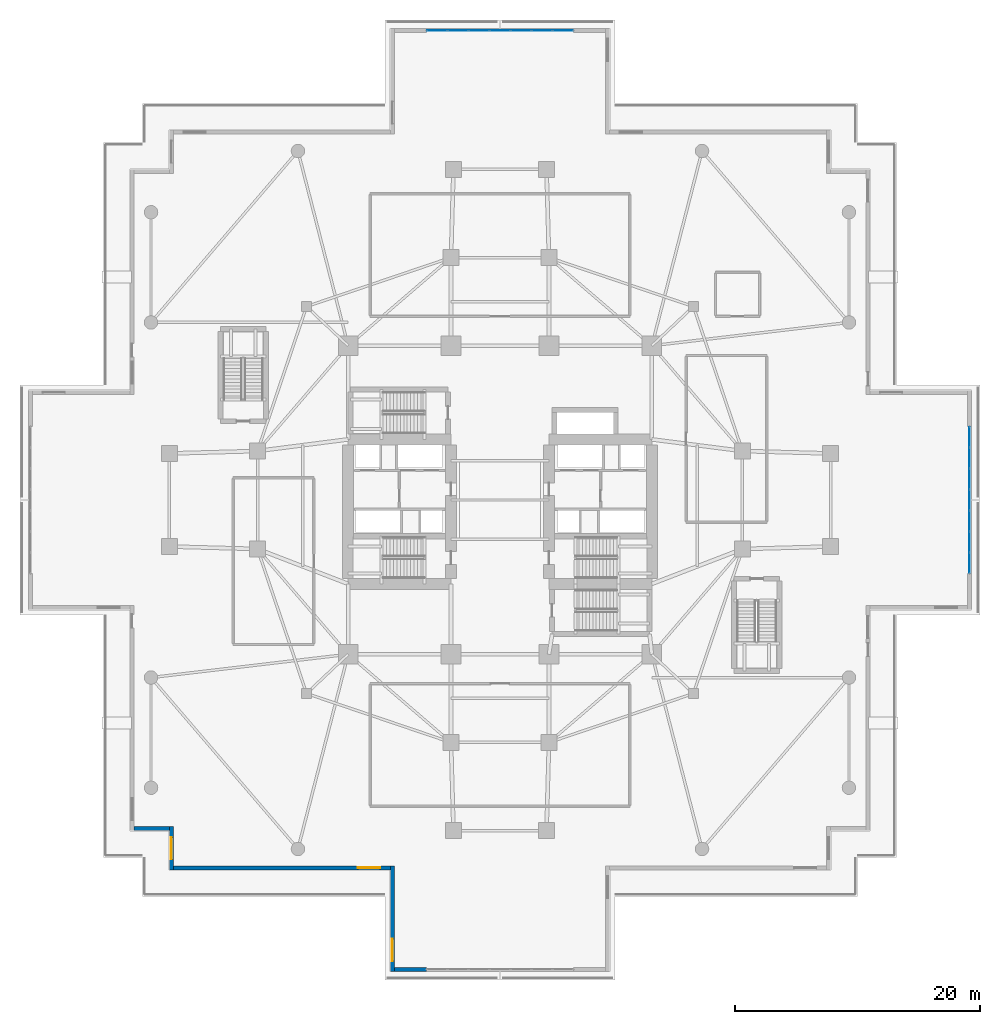
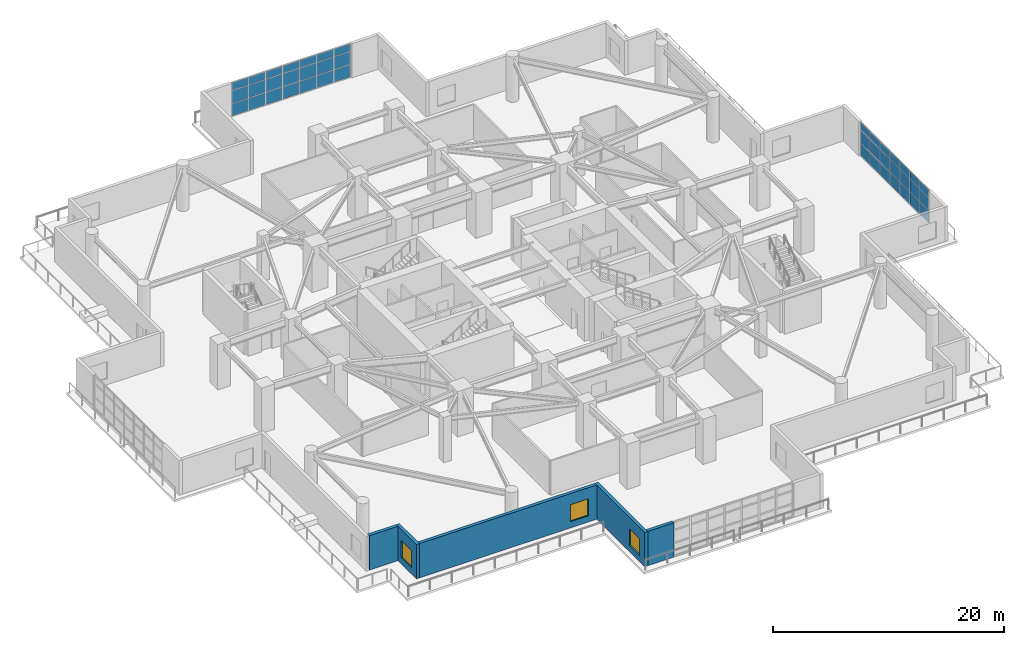
# One storey, part 12 of 23: 42 plates, 5 walls, 3 windows, 3 openings, 2 elements without a shape of their own.
"""IFC4 building model written with IfcOpenShell, lengths in metres."""

from ifc_helpers import new_model, si_unit, direction, frame, frame_2d, origin, origin_2d, place, context, subcontext, project, spatial, rectangle, extrude, material, layer, layer_set, type_object, element, fill, aggregate, save


model = new_model("IFC4")

# Units and contexts
model_context = context("Model", 3, precision=1e-05, world=origin(), true_north=direction((0.0, 1.0)))
body_context = subcontext(model_context, "Body", "Model", "MODEL_VIEW")
ifc_project = project(units=[si_unit("LENGTHUNIT", "METRE"), si_unit("AREAUNIT", "SQUARE_METRE"), si_unit("VOLUMEUNIT", "CUBIC_METRE"), si_unit("PLANEANGLEUNIT", "RADIAN"), si_unit("MASSUNIT", "GRAM", prefix="KILO")], contexts=[model_context])

# Site, building, storey
site_placement = place(None, origin())
site = spatial("IfcSite", under=ifc_project, at=site_placement, CompositionType="ELEMENT")
building_placement = place(site_placement, origin())
building = spatial("IfcBuilding", under=site, at=building_placement, Name="Qingluan Cross Belvedere", CompositionType="ELEMENT")
storey_placement = place(building_placement, frame((0.0, 0.0, 5.39990234375)))
storey = spatial("IfcBuildingStorey", under=building, at=storey_placement, Name="L02", CompositionType="ELEMENT", Elevation=5.39990234375)

# Curtain wall, plates
ifc_material_1 = material(Name="Thermally broken aluminium and Low-E glass", Category="aluminium")
ifc_layer_1 = layer(ifc_material_1, 0.199951171875, Name="UnitisedCW_PodiumArrival")
ifc_layer_set_1 = layer_set([ifc_layer_1], Name="Thermally broken aluminium and Low-E glass")
curtain_wall_type = type_object("IfcCurtainWallType", Name="UnitisedCW_PodiumArrival", PredefinedType="USERDEFINED", material=ifc_layer_set_1)
curtain_wall_1_placement = place(storey_placement, origin())
curtain_wall_1 = element("IfcCurtainWall", 1, at=curtain_wall_1_placement, inside=storey, type_object=curtain_wall_type, Name="UnitisedCW_PodiumArrival run env:cw:L02:N", ObjectType="UNITISED CURTAIN WALL", PredefinedType="USERDEFINED")
ifc_material_2 = material(Name="Ceramic-fritted insulated spandrel glass", Category="glass")
ifc_layer_2 = layer(ifc_material_2, 0.0439453125, Name="CWSpandrelPanel_44")
ifc_layer_set_2 = layer_set([ifc_layer_2], Name="Ceramic-fritted insulated spandrel glass")
plate_type = type_object("IfcPlateType", Name="CWSpandrelPanel_44", PredefinedType="CURTAIN_PANEL", material=ifc_layer_set_2)
plate_1_placement = place(storey_placement, frame((-5.1279296875, 38.340087890625, 0.06005859375), z_axis=(0.0, 0.0, 1.0), x_axis=(1.0, 0.0, 0.0)))
plate_1 = element("IfcPlate", 2, at=plate_1_placement, type_object=plate_type, Name="CW-P1 panel 1.1", PredefinedType="CURTAIN_PANEL", context=body_context, shape_type="SweptSolid", body=[
    extrude(rectangle(XDim=1.624267578125, YDim=0.028076171875, at=origin_2d()), origin(), (0.0, 0.0, 1.0), 1.2890625),
])
plate_2_placement = place(storey_placement, frame((-5.1279296875, 38.340087890625, 1.4091796875), z_axis=(0.0, 0.0, 1.0), x_axis=(1.0, 0.0, 0.0)))
plate_2 = element("IfcPlate", 3, at=plate_2_placement, type_object=plate_type, Name="CW-P1 panel 1.2", PredefinedType="CURTAIN_PANEL", context=body_context, shape_type="SweptSolid", body=[
    extrude(rectangle(XDim=1.624267578125, YDim=0.028076171875, at=origin_2d()), origin(), (0.0, 0.0, 1.0), 1.320068359375),
])
plate_3_placement = place(storey_placement, frame((-5.1279296875, 38.340087890625, 2.7890625), z_axis=(0.0, 0.0, 1.0), x_axis=(1.0, 0.0, 0.0)))
plate_3 = element("IfcPlate", 4, at=plate_3_placement, type_object=plate_type, Name="CW-P1 panel 1.3", PredefinedType="CURTAIN_PANEL", context=body_context, shape_type="SweptSolid", body=[
    extrude(rectangle(XDim=1.624267578125, YDim=0.028076171875, at=origin_2d()), origin(), (0.0, 0.0, 1.0), 0.781005859375),
])
plate_4_placement = place(storey_placement, frame((-3.428466796875, 38.340087890625, 0.06005859375), z_axis=(0.0, 0.0, 1.0), x_axis=(1.0, 0.0, 0.0)))
plate_4 = element("IfcPlate", 5, at=plate_4_placement, type_object=plate_type, Name="CW-P1 panel 2.1", PredefinedType="CURTAIN_PANEL", context=body_context, shape_type="SweptSolid", body=[
    extrude(rectangle(XDim=1.654296875, YDim=0.028076171875, at=origin_2d()), origin(), (0.0, 0.0, 1.0), 1.2890625),
])
plate_5_placement = place(storey_placement, frame((-3.428466796875, 38.340087890625, 1.4091796875), z_axis=(0.0, 0.0, 1.0), x_axis=(1.0, 0.0, 0.0)))
plate_5 = element("IfcPlate", 6, at=plate_5_placement, type_object=plate_type, Name="CW-P1 panel 2.2", PredefinedType="CURTAIN_PANEL", context=body_context, shape_type="SweptSolid", body=[
    extrude(rectangle(XDim=1.654296875, YDim=0.028076171875, at=origin_2d()), origin(), (0.0, 0.0, 1.0), 1.320068359375),
])
plate_6_placement = place(storey_placement, frame((-3.428466796875, 38.340087890625, 2.7890625), z_axis=(0.0, 0.0, 1.0), x_axis=(1.0, 0.0, 0.0)))
plate_6 = element("IfcPlate", 7, at=plate_6_placement, type_object=plate_type, Name="CW-P1 panel 2.3", PredefinedType="CURTAIN_PANEL", context=body_context, shape_type="SweptSolid", body=[
    extrude(rectangle(XDim=1.654296875, YDim=0.028076171875, at=origin_2d()), origin(), (0.0, 0.0, 1.0), 0.781005859375),
])
plate_7_placement = place(storey_placement, frame((-1.71435546875, 38.340087890625, 0.06005859375), z_axis=(0.0, 0.0, 1.0), x_axis=(1.0, 0.0, 0.0)))
plate_7 = element("IfcPlate", 8, at=plate_7_placement, type_object=plate_type, Name="CW-P1 panel 3.1", PredefinedType="CURTAIN_PANEL", context=body_context, shape_type="SweptSolid", body=[
    extrude(rectangle(XDim=1.654296875, YDim=0.028076171875, at=origin_2d()), origin(), (0.0, 0.0, 1.0), 1.2890625),
])
plate_8_placement = place(storey_placement, frame((-1.71435546875, 38.340087890625, 1.4091796875), z_axis=(0.0, 0.0, 1.0), x_axis=(1.0, 0.0, 0.0)))
plate_8 = element("IfcPlate", 9, at=plate_8_placement, type_object=plate_type, Name="CW-P1 panel 3.2", PredefinedType="CURTAIN_PANEL", context=body_context, shape_type="SweptSolid", body=[
    extrude(rectangle(XDim=1.654296875, YDim=0.028076171875, at=origin_2d()), origin(), (0.0, 0.0, 1.0), 1.320068359375),
])
plate_9_placement = place(storey_placement, frame((-1.71435546875, 38.340087890625, 2.7890625), z_axis=(0.0, 0.0, 1.0), x_axis=(1.0, 0.0, 0.0)))
plate_9 = element("IfcPlate", 10, at=plate_9_placement, type_object=plate_type, Name="CW-P1 panel 3.3", PredefinedType="CURTAIN_PANEL", context=body_context, shape_type="SweptSolid", body=[
    extrude(rectangle(XDim=1.654296875, YDim=0.028076171875, at=origin_2d()), origin(), (0.0, 0.0, 1.0), 0.781005859375),
])
plate_10_placement = place(storey_placement, frame((0.0, 38.340087890625, 0.06005859375), z_axis=(0.0, 0.0, 1.0), x_axis=(1.0, 0.0, 0.0)))
plate_10 = element("IfcPlate", 11, at=plate_10_placement, type_object=plate_type, Name="CW-P1 panel 4.1", PredefinedType="CURTAIN_PANEL", context=body_context, shape_type="SweptSolid", body=[
    extrude(rectangle(XDim=1.654296875, YDim=0.028076171875, at=origin_2d()), origin(), (0.0, 0.0, 1.0), 1.2890625),
])
plate_11_placement = place(storey_placement, frame((0.0, 38.340087890625, 1.4091796875), z_axis=(0.0, 0.0, 1.0), x_axis=(1.0, 0.0, 0.0)))
plate_11 = element("IfcPlate", 12, at=plate_11_placement, type_object=plate_type, Name="CW-P1 panel 4.2", PredefinedType="CURTAIN_PANEL", context=body_context, shape_type="SweptSolid", body=[
    extrude(rectangle(XDim=1.654296875, YDim=0.028076171875, at=origin_2d()), origin(), (0.0, 0.0, 1.0), 1.320068359375),
])
plate_12_placement = place(storey_placement, frame((0.0, 38.340087890625, 2.7890625), z_axis=(0.0, 0.0, 1.0), x_axis=(1.0, 0.0, 0.0)))
plate_12 = element("IfcPlate", 13, at=plate_12_placement, type_object=plate_type, Name="CW-P1 panel 4.3", PredefinedType="CURTAIN_PANEL", context=body_context, shape_type="SweptSolid", body=[
    extrude(rectangle(XDim=1.654296875, YDim=0.028076171875, at=origin_2d()), origin(), (0.0, 0.0, 1.0), 0.781005859375),
])
plate_13_placement = place(storey_placement, frame((1.71435546875, 38.340087890625, 0.06005859375), z_axis=(0.0, 0.0, 1.0), x_axis=(1.0, 0.0, 0.0)))
plate_13 = element("IfcPlate", 14, at=plate_13_placement, type_object=plate_type, Name="CW-P1 panel 5.1", PredefinedType="CURTAIN_PANEL", context=body_context, shape_type="SweptSolid", body=[
    extrude(rectangle(XDim=1.654296875, YDim=0.028076171875, at=origin_2d()), origin(), (0.0, 0.0, 1.0), 1.2890625),
])
plate_14_placement = place(storey_placement, frame((1.71435546875, 38.340087890625, 1.4091796875), z_axis=(0.0, 0.0, 1.0), x_axis=(1.0, 0.0, 0.0)))
plate_14 = element("IfcPlate", 15, at=plate_14_placement, type_object=plate_type, Name="CW-P1 panel 5.2", PredefinedType="CURTAIN_PANEL", context=body_context, shape_type="SweptSolid", body=[
    extrude(rectangle(XDim=1.654296875, YDim=0.028076171875, at=origin_2d()), origin(), (0.0, 0.0, 1.0), 1.320068359375),
])
plate_15_placement = place(storey_placement, frame((1.71435546875, 38.340087890625, 2.7890625), z_axis=(0.0, 0.0, 1.0), x_axis=(1.0, 0.0, 0.0)))
plate_15 = element("IfcPlate", 16, at=plate_15_placement, type_object=plate_type, Name="CW-P1 panel 5.3", PredefinedType="CURTAIN_PANEL", context=body_context, shape_type="SweptSolid", body=[
    extrude(rectangle(XDim=1.654296875, YDim=0.028076171875, at=origin_2d()), origin(), (0.0, 0.0, 1.0), 0.781005859375),
])
plate_16_placement = place(storey_placement, frame((3.428466796875, 38.340087890625, 0.06005859375), z_axis=(0.0, 0.0, 1.0), x_axis=(1.0, 0.0, 0.0)))
plate_16 = element("IfcPlate", 17, at=plate_16_placement, type_object=plate_type, Name="CW-P1 panel 6.1", PredefinedType="CURTAIN_PANEL", context=body_context, shape_type="SweptSolid", body=[
    extrude(rectangle(XDim=1.654296875, YDim=0.028076171875, at=origin_2d()), origin(), (0.0, 0.0, 1.0), 1.2890625),
])
plate_17_placement = place(storey_placement, frame((3.428466796875, 38.340087890625, 1.4091796875), z_axis=(0.0, 0.0, 1.0), x_axis=(1.0, 0.0, 0.0)))
plate_17 = element("IfcPlate", 18, at=plate_17_placement, type_object=plate_type, Name="CW-P1 panel 6.2", PredefinedType="CURTAIN_PANEL", context=body_context, shape_type="SweptSolid", body=[
    extrude(rectangle(XDim=1.654296875, YDim=0.028076171875, at=origin_2d()), origin(), (0.0, 0.0, 1.0), 1.320068359375),
])
plate_18_placement = place(storey_placement, frame((3.428466796875, 38.340087890625, 2.7890625), z_axis=(0.0, 0.0, 1.0), x_axis=(1.0, 0.0, 0.0)))
plate_18 = element("IfcPlate", 19, at=plate_18_placement, type_object=plate_type, Name="CW-P1 panel 6.3", PredefinedType="CURTAIN_PANEL", context=body_context, shape_type="SweptSolid", body=[
    extrude(rectangle(XDim=1.654296875, YDim=0.028076171875, at=origin_2d()), origin(), (0.0, 0.0, 1.0), 0.781005859375),
])
plate_19_placement = place(storey_placement, frame((5.1279296875, 38.340087890625, 0.06005859375), z_axis=(0.0, 0.0, 1.0), x_axis=(1.0, 0.0, 0.0)))
plate_19 = element("IfcPlate", 20, at=plate_19_placement, type_object=plate_type, Name="CW-P1 panel 7.1", PredefinedType="CURTAIN_PANEL", context=body_context, shape_type="SweptSolid", body=[
    extrude(rectangle(XDim=1.624267578125, YDim=0.028076171875, at=origin_2d()), origin(), (0.0, 0.0, 1.0), 1.2890625),
])
plate_20_placement = place(storey_placement, frame((5.1279296875, 38.340087890625, 1.4091796875), z_axis=(0.0, 0.0, 1.0), x_axis=(1.0, 0.0, 0.0)))
plate_20 = element("IfcPlate", 21, at=plate_20_placement, type_object=plate_type, Name="CW-P1 panel 7.2", PredefinedType="CURTAIN_PANEL", context=body_context, shape_type="SweptSolid", body=[
    extrude(rectangle(XDim=1.624267578125, YDim=0.028076171875, at=origin_2d()), origin(), (0.0, 0.0, 1.0), 1.320068359375),
])
plate_21_placement = place(storey_placement, frame((5.1279296875, 38.340087890625, 2.7890625), z_axis=(0.0, 0.0, 1.0), x_axis=(1.0, 0.0, 0.0)))
plate_21 = element("IfcPlate", 22, at=plate_21_placement, type_object=plate_type, Name="CW-P1 panel 7.3", PredefinedType="CURTAIN_PANEL", context=body_context, shape_type="SweptSolid", body=[
    extrude(rectangle(XDim=1.624267578125, YDim=0.028076171875, at=origin_2d()), origin(), (0.0, 0.0, 1.0), 0.781005859375),
])
aggregate(curtain_wall_1, [plate_1, plate_2, plate_3, plate_4, plate_5, plate_6, plate_7, plate_8, plate_9, plate_10, plate_11, plate_12, plate_13, plate_14, plate_15, plate_16, plate_17, plate_18, plate_19, plate_20, plate_21])

curtain_wall_2_placement = place(storey_placement, origin())
curtain_wall_2 = element("IfcCurtainWall", 23, at=curtain_wall_2_placement, inside=storey, type_object=curtain_wall_type, Name="UnitisedCW_PodiumArrival run env:cw:L02:E", ObjectType="UNITISED CURTAIN WALL", PredefinedType="USERDEFINED")
plate_22_placement = place(storey_placement, frame((38.340087890625, 5.1279296875, 0.06005859375), z_axis=(0.0, 0.0, 1.0), x_axis=(0.0, -1.0, 0.0)))
plate_22 = element("IfcPlate", 24, at=plate_22_placement, type_object=plate_type, Name="CW-P1 panel 1.1", PredefinedType="CURTAIN_PANEL", context=body_context, shape_type="SweptSolid", body=[
    extrude(rectangle(XDim=1.624267578125, YDim=0.028076171875, at=origin_2d()), origin(), (0.0, 0.0, 1.0), 1.2890625),
])
plate_23_placement = place(storey_placement, frame((38.340087890625, 5.1279296875, 1.4091796875), z_axis=(0.0, 0.0, 1.0), x_axis=(0.0, -1.0, 0.0)))
plate_23 = element("IfcPlate", 25, at=plate_23_placement, type_object=plate_type, Name="CW-P1 panel 1.2", PredefinedType="CURTAIN_PANEL", context=body_context, shape_type="SweptSolid", body=[
    extrude(rectangle(XDim=1.624267578125, YDim=0.028076171875, at=origin_2d()), origin(), (0.0, 0.0, 1.0), 1.320068359375),
])
plate_24_placement = place(storey_placement, frame((38.340087890625, 5.1279296875, 2.7890625), z_axis=(0.0, 0.0, 1.0), x_axis=(0.0, -1.0, 0.0)))
plate_24 = element("IfcPlate", 26, at=plate_24_placement, type_object=plate_type, Name="CW-P1 panel 1.3", PredefinedType="CURTAIN_PANEL", context=body_context, shape_type="SweptSolid", body=[
    extrude(rectangle(XDim=1.624267578125, YDim=0.028076171875, at=origin_2d()), origin(), (0.0, 0.0, 1.0), 0.781005859375),
])
plate_25_placement = place(storey_placement, frame((38.340087890625, 3.428466796875, 0.06005859375), z_axis=(0.0, 0.0, 1.0), x_axis=(0.0, -1.0, 0.0)))
plate_25 = element("IfcPlate", 27, at=plate_25_placement, type_object=plate_type, Name="CW-P1 panel 2.1", PredefinedType="CURTAIN_PANEL", context=body_context, shape_type="SweptSolid", body=[
    extrude(rectangle(XDim=1.654296875, YDim=0.028076171875, at=origin_2d()), origin(), (0.0, 0.0, 1.0), 1.2890625),
])
plate_26_placement = place(storey_placement, frame((38.340087890625, 3.428466796875, 1.4091796875), z_axis=(0.0, 0.0, 1.0), x_axis=(0.0, -1.0, 0.0)))
plate_26 = element("IfcPlate", 28, at=plate_26_placement, type_object=plate_type, Name="CW-P1 panel 2.2", PredefinedType="CURTAIN_PANEL", context=body_context, shape_type="SweptSolid", body=[
    extrude(rectangle(XDim=1.654296875, YDim=0.028076171875, at=origin_2d()), origin(), (0.0, 0.0, 1.0), 1.320068359375),
])
plate_27_placement = place(storey_placement, frame((38.340087890625, 3.428466796875, 2.7890625), z_axis=(0.0, 0.0, 1.0), x_axis=(0.0, -1.0, 0.0)))
plate_27 = element("IfcPlate", 29, at=plate_27_placement, type_object=plate_type, Name="CW-P1 panel 2.3", PredefinedType="CURTAIN_PANEL", context=body_context, shape_type="SweptSolid", body=[
    extrude(rectangle(XDim=1.654296875, YDim=0.028076171875, at=origin_2d()), origin(), (0.0, 0.0, 1.0), 0.781005859375),
])
plate_28_placement = place(storey_placement, frame((38.340087890625, 1.71435546875, 0.06005859375), z_axis=(0.0, 0.0, 1.0), x_axis=(0.0, -1.0, 0.0)))
plate_28 = element("IfcPlate", 30, at=plate_28_placement, type_object=plate_type, Name="CW-P1 panel 3.1", PredefinedType="CURTAIN_PANEL", context=body_context, shape_type="SweptSolid", body=[
    extrude(rectangle(XDim=1.654296875, YDim=0.028076171875, at=origin_2d()), origin(), (0.0, 0.0, 1.0), 1.2890625),
])
plate_29_placement = place(storey_placement, frame((38.340087890625, 1.71435546875, 1.4091796875), z_axis=(0.0, 0.0, 1.0), x_axis=(0.0, -1.0, 0.0)))
plate_29 = element("IfcPlate", 31, at=plate_29_placement, type_object=plate_type, Name="CW-P1 panel 3.2", PredefinedType="CURTAIN_PANEL", context=body_context, shape_type="SweptSolid", body=[
    extrude(rectangle(XDim=1.654296875, YDim=0.028076171875, at=origin_2d()), origin(), (0.0, 0.0, 1.0), 1.320068359375),
])
plate_30_placement = place(storey_placement, frame((38.340087890625, 1.71435546875, 2.7890625), z_axis=(0.0, 0.0, 1.0), x_axis=(0.0, -1.0, 0.0)))
plate_30 = element("IfcPlate", 32, at=plate_30_placement, type_object=plate_type, Name="CW-P1 panel 3.3", PredefinedType="CURTAIN_PANEL", context=body_context, shape_type="SweptSolid", body=[
    extrude(rectangle(XDim=1.654296875, YDim=0.028076171875, at=origin_2d()), origin(), (0.0, 0.0, 1.0), 0.781005859375),
])
plate_31_placement = place(storey_placement, frame((38.340087890625, 0.0, 0.06005859375), z_axis=(0.0, 0.0, 1.0), x_axis=(0.0, -1.0, 0.0)))
plate_31 = element("IfcPlate", 33, at=plate_31_placement, type_object=plate_type, Name="CW-P1 panel 4.1", PredefinedType="CURTAIN_PANEL", context=body_context, shape_type="SweptSolid", body=[
    extrude(rectangle(XDim=1.654296875, YDim=0.028076171875, at=origin_2d()), origin(), (0.0, 0.0, 1.0), 1.2890625),
])
plate_32_placement = place(storey_placement, frame((38.340087890625, 0.0, 1.4091796875), z_axis=(0.0, 0.0, 1.0), x_axis=(0.0, -1.0, 0.0)))
plate_32 = element("IfcPlate", 34, at=plate_32_placement, type_object=plate_type, Name="CW-P1 panel 4.2", PredefinedType="CURTAIN_PANEL", context=body_context, shape_type="SweptSolid", body=[
    extrude(rectangle(XDim=1.654296875, YDim=0.028076171875, at=origin_2d()), origin(), (0.0, 0.0, 1.0), 1.320068359375),
])
plate_33_placement = place(storey_placement, frame((38.340087890625, 0.0, 2.7890625), z_axis=(0.0, 0.0, 1.0), x_axis=(0.0, -1.0, 0.0)))
plate_33 = element("IfcPlate", 35, at=plate_33_placement, type_object=plate_type, Name="CW-P1 panel 4.3", PredefinedType="CURTAIN_PANEL", context=body_context, shape_type="SweptSolid", body=[
    extrude(rectangle(XDim=1.654296875, YDim=0.028076171875, at=origin_2d()), origin(), (0.0, 0.0, 1.0), 0.781005859375),
])
plate_34_placement = place(storey_placement, frame((38.340087890625, -1.71435546875, 0.06005859375), z_axis=(0.0, 0.0, 1.0), x_axis=(0.0, -1.0, 0.0)))
plate_34 = element("IfcPlate", 36, at=plate_34_placement, type_object=plate_type, Name="CW-P1 panel 5.1", PredefinedType="CURTAIN_PANEL", context=body_context, shape_type="SweptSolid", body=[
    extrude(rectangle(XDim=1.654296875, YDim=0.028076171875, at=origin_2d()), origin(), (0.0, 0.0, 1.0), 1.2890625),
])
plate_35_placement = place(storey_placement, frame((38.340087890625, -1.71435546875, 1.4091796875), z_axis=(0.0, 0.0, 1.0), x_axis=(0.0, -1.0, 0.0)))
plate_35 = element("IfcPlate", 37, at=plate_35_placement, type_object=plate_type, Name="CW-P1 panel 5.2", PredefinedType="CURTAIN_PANEL", context=body_context, shape_type="SweptSolid", body=[
    extrude(rectangle(XDim=1.654296875, YDim=0.028076171875, at=origin_2d()), origin(), (0.0, 0.0, 1.0), 1.320068359375),
])
plate_36_placement = place(storey_placement, frame((38.340087890625, -1.71435546875, 2.7890625), z_axis=(0.0, 0.0, 1.0), x_axis=(0.0, -1.0, 0.0)))
plate_36 = element("IfcPlate", 38, at=plate_36_placement, type_object=plate_type, Name="CW-P1 panel 5.3", PredefinedType="CURTAIN_PANEL", context=body_context, shape_type="SweptSolid", body=[
    extrude(rectangle(XDim=1.654296875, YDim=0.028076171875, at=origin_2d()), origin(), (0.0, 0.0, 1.0), 0.781005859375),
])
plate_37_placement = place(storey_placement, frame((38.340087890625, -3.428466796875, 0.06005859375), z_axis=(0.0, 0.0, 1.0), x_axis=(0.0, -1.0, 0.0)))
plate_37 = element("IfcPlate", 39, at=plate_37_placement, type_object=plate_type, Name="CW-P1 panel 6.1", PredefinedType="CURTAIN_PANEL", context=body_context, shape_type="SweptSolid", body=[
    extrude(rectangle(XDim=1.654296875, YDim=0.028076171875, at=origin_2d()), origin(), (0.0, 0.0, 1.0), 1.2890625),
])
plate_38_placement = place(storey_placement, frame((38.340087890625, -3.428466796875, 1.4091796875), z_axis=(0.0, 0.0, 1.0), x_axis=(0.0, -1.0, 0.0)))
plate_38 = element("IfcPlate", 40, at=plate_38_placement, type_object=plate_type, Name="CW-P1 panel 6.2", PredefinedType="CURTAIN_PANEL", context=body_context, shape_type="SweptSolid", body=[
    extrude(rectangle(XDim=1.654296875, YDim=0.028076171875, at=origin_2d()), origin(), (0.0, 0.0, 1.0), 1.320068359375),
])
plate_39_placement = place(storey_placement, frame((38.340087890625, -3.428466796875, 2.7890625), z_axis=(0.0, 0.0, 1.0), x_axis=(0.0, -1.0, 0.0)))
plate_39 = element("IfcPlate", 41, at=plate_39_placement, type_object=plate_type, Name="CW-P1 panel 6.3", PredefinedType="CURTAIN_PANEL", context=body_context, shape_type="SweptSolid", body=[
    extrude(rectangle(XDim=1.654296875, YDim=0.028076171875, at=origin_2d()), origin(), (0.0, 0.0, 1.0), 0.781005859375),
])
plate_40_placement = place(storey_placement, frame((38.340087890625, -5.1279296875, 0.06005859375), z_axis=(0.0, 0.0, 1.0), x_axis=(0.0, -1.0, 0.0)))
plate_40 = element("IfcPlate", 42, at=plate_40_placement, type_object=plate_type, Name="CW-P1 panel 7.1", PredefinedType="CURTAIN_PANEL", context=body_context, shape_type="SweptSolid", body=[
    extrude(rectangle(XDim=1.624267578125, YDim=0.028076171875, at=origin_2d()), origin(), (0.0, 0.0, 1.0), 1.2890625),
])
plate_41_placement = place(storey_placement, frame((38.340087890625, -5.1279296875, 1.4091796875), z_axis=(0.0, 0.0, 1.0), x_axis=(0.0, -1.0, 0.0)))
plate_41 = element("IfcPlate", 43, at=plate_41_placement, type_object=plate_type, Name="CW-P1 panel 7.2", PredefinedType="CURTAIN_PANEL", context=body_context, shape_type="SweptSolid", body=[
    extrude(rectangle(XDim=1.624267578125, YDim=0.028076171875, at=origin_2d()), origin(), (0.0, 0.0, 1.0), 1.320068359375),
])
plate_42_placement = place(storey_placement, frame((38.340087890625, -5.1279296875, 2.7890625), z_axis=(0.0, 0.0, 1.0), x_axis=(0.0, -1.0, 0.0)))
plate_42 = element("IfcPlate", 44, at=plate_42_placement, type_object=plate_type, Name="CW-P1 panel 7.3", PredefinedType="CURTAIN_PANEL", context=body_context, shape_type="SweptSolid", body=[
    extrude(rectangle(XDim=1.624267578125, YDim=0.028076171875, at=origin_2d()), origin(), (0.0, 0.0, 1.0), 0.781005859375),
])
aggregate(curtain_wall_2, [plate_22, plate_23, plate_24, plate_25, plate_26, plate_27, plate_28, plate_29, plate_30, plate_31, plate_32, plate_33, plate_34, plate_35, plate_36, plate_37, plate_38, plate_39, plate_40, plate_41, plate_42])

# Wall
ifc_material_3 = material(Name="Precast concrete C45", Category="concrete")
ifc_layer_3 = layer(ifc_material_3, 0.320068359375, Name="PrecastPodiumWall_320")
ifc_layer_set_3 = layer_set([ifc_layer_3], Name="Precast concrete C45")
wall_type = type_object("IfcWallType", Name="PrecastPodiumWall_320", PredefinedType="STANDARD", material=ifc_layer_set_3)
wall_1_placement = place(storey_placement, frame((-6.0, -38.340087890625, 0.0), z_axis=(0.0, 0.0, 1.0), x_axis=(-1.0, 0.0, 0.0)))
element("IfcWall", 45, at=wall_1_placement, inside=storey, type_object=wall_type, Name="Podium portal pier L02-P1JB", PredefinedType="STANDARD", context=body_context, shape_type="SweptSolid", body=[
    extrude(rectangle(XDim=2.6298828125, YDim=0.320068359375, at=frame_2d((1.31494140625, 0.0))), origin(), (0.0, 0.0, 1.0), 3.630126953125),
])

# Wall, opening, window
wall_2_placement = place(storey_placement, frame((-8.7900390625, -38.5, 0.0), z_axis=(0.0, 0.0, 1.0), x_axis=(0.0, 1.0, 0.0)))
wall_2 = element("IfcWall", 46, at=wall_2_placement, inside=storey, type_object=wall_type, Name="Podium precast facade wall L02-S5", PredefinedType="STANDARD", context=body_context, shape_type="SweptSolid", body=[
    extrude(rectangle(XDim=8.6201171875, YDim=0.320068359375, at=frame_2d((4.31005859375, 0.0))), origin(), (0.0, 0.0, 1.0), 3.630126953125),
])
opening_1_placement = place(wall_2_placement, frame((0.85009765625, 0.0, 0.64990234375)))
opening_1 = element("IfcOpeningElement", 47, at=opening_1_placement, cuts=wall_2, Name="Opening W-06", PredefinedType="OPENING", context=body_context, shape_type="SweptSolid", body=[
    extrude(rectangle(XDim=1.800048828125, YDim=1.800048828125, at=frame_2d((0.89990234375, 0.89990234375))), frame((0.0, 0.169921875, 0.0), z_axis=(0.0, -1.0, 0.0), x_axis=(1.0, 0.0, 0.0)), (0.0, 0.0, 1.0), 0.340087890625),
])
ifc_material_4 = material(Name="Thermally broken triple Low-E glass in aluminium frame", Category="aluminium")
window_type = type_object("IfcWindowType", Name="PodiumGalleryWin_1800x1800", PartitioningType="SINGLE_PANEL", PredefinedType="WINDOW", material=ifc_material_4)
window_1_placement = place(opening_1_placement, origin())
window_1 = element("IfcWindow", 48, at=window_1_placement, inside=storey, type_object=window_type, Name="Podium gallery window L02-S5", OverallHeight=1.800048828125, OverallWidth=1.800048828125, PartitioningType="SINGLE_PANEL", PredefinedType="WINDOW", context=body_context, shape_type="SweptSolid", body=[
    extrude(rectangle(XDim=1.800048828125, YDim=1.800048828125, at=frame_2d((0.89990234375, 0.89990234375))), frame((0.0, 0.030029296875, 0.0), z_axis=(0.0, -1.0, 0.0), x_axis=(1.0, 0.0, 0.0)), (0.0, 0.0, 1.0), 0.06005859375),
])
fill(opening_1, window_1)

wall_3_placement = place(storey_placement, frame((-8.949951171875, -30.0400390625, 0.0), z_axis=(0.0, 0.0, 1.0), x_axis=(-1.0, 0.0, 0.0)))
wall_3 = element("IfcWall", 49, at=wall_3_placement, inside=storey, type_object=wall_type, Name="Podium precast facade wall L02-S6", PredefinedType="STANDARD", context=body_context, shape_type="SweptSolid", body=[
    extrude(rectangle(XDim=17.72998046875, YDim=0.320068359375, at=frame_2d((8.864990234375, 0.0))), origin(), (0.0, 0.0, 1.0), 3.630126953125),
])
opening_2_placement = place(wall_3_placement, frame((0.85009765625, 0.0, 0.64990234375)))
opening_2 = element("IfcOpeningElement", 50, at=opening_2_placement, cuts=wall_3, Name="Opening W-06", PredefinedType="OPENING", context=body_context, shape_type="SweptSolid", body=[
    extrude(rectangle(XDim=1.800048828125, YDim=1.800048828125, at=frame_2d((0.89990234375, 0.89990234375))), frame((0.0, 0.169921875, 0.0), z_axis=(0.0, -1.0, 0.0), x_axis=(1.0, 0.0, 0.0)), (0.0, 0.0, 1.0), 0.340087890625),
])
window_2_placement = place(opening_2_placement, origin())
window_2 = element("IfcWindow", 51, at=window_2_placement, inside=storey, type_object=window_type, Name="Podium gallery window L02-S6", OverallHeight=1.800048828125, OverallWidth=1.800048828125, PartitioningType="SINGLE_PANEL", PredefinedType="WINDOW", context=body_context, shape_type="SweptSolid", body=[
    extrude(rectangle(XDim=1.800048828125, YDim=1.800048828125, at=frame_2d((0.89990234375, 0.89990234375))), frame((0.0, 0.030029296875, 0.0), z_axis=(0.0, -1.0, 0.0), x_axis=(1.0, 0.0, 0.0)), (0.0, 0.0, 1.0), 0.06005859375),
])
fill(opening_2, window_2)

wall_4_placement = place(storey_placement, frame((-26.840087890625, -30.199951171875, 0.0), z_axis=(0.0, 0.0, 1.0), x_axis=(0.0, 1.0, 0.0)))
wall_4 = element("IfcWall", 52, at=wall_4_placement, inside=storey, type_object=wall_type, Name="Podium precast facade wall L02-S7", PredefinedType="STANDARD", context=body_context, shape_type="SweptSolid", body=[
    extrude(rectangle(XDim=3.52001953125, YDim=0.320068359375, at=frame_2d((1.760009765625, 0.0))), origin(), (0.0, 0.0, 1.0), 3.630126953125),
])
opening_3_placement = place(wall_4_placement, frame((0.85009765625, 0.0, 0.64990234375)))
opening_3 = element("IfcOpeningElement", 53, at=opening_3_placement, cuts=wall_4, Name="Opening W-06", PredefinedType="OPENING", context=body_context, shape_type="SweptSolid", body=[
    extrude(rectangle(XDim=1.800048828125, YDim=1.800048828125, at=frame_2d((0.89990234375, 0.89990234375))), frame((0.0, 0.169921875, 0.0), z_axis=(0.0, -1.0, 0.0), x_axis=(1.0, 0.0, 0.0)), (0.0, 0.0, 1.0), 0.340087890625),
])
window_3_placement = place(opening_3_placement, origin())
window_3 = element("IfcWindow", 54, at=window_3_placement, inside=storey, type_object=window_type, Name="Podium gallery window L02-S7", OverallHeight=1.800048828125, OverallWidth=1.800048828125, PartitioningType="SINGLE_PANEL", PredefinedType="WINDOW", context=body_context, shape_type="SweptSolid", body=[
    extrude(rectangle(XDim=1.800048828125, YDim=1.800048828125, at=frame_2d((0.89990234375, 0.89990234375))), frame((0.0, 0.030029296875, 0.0), z_axis=(0.0, -1.0, 0.0), x_axis=(1.0, 0.0, 0.0)), (0.0, 0.0, 1.0), 0.06005859375),
])
fill(opening_3, window_3)

# Wall
wall_5_placement = place(storey_placement, frame((-27.0, -26.840087890625, 0.0), z_axis=(0.0, 0.0, 1.0), x_axis=(-1.0, 0.0, 0.0)))
element("IfcWall", 55, at=wall_5_placement, inside=storey, type_object=wall_type, Name="Podium precast facade wall L02-S8", PredefinedType="STANDARD", context=body_context, shape_type="SweptSolid", body=[
    extrude(rectangle(XDim=2.8798828125, YDim=0.320068359375, at=frame_2d((1.43994140625, 0.0))), origin(), (0.0, 0.0, 1.0), 3.630126953125),
])

save(model, "model.ifc")
